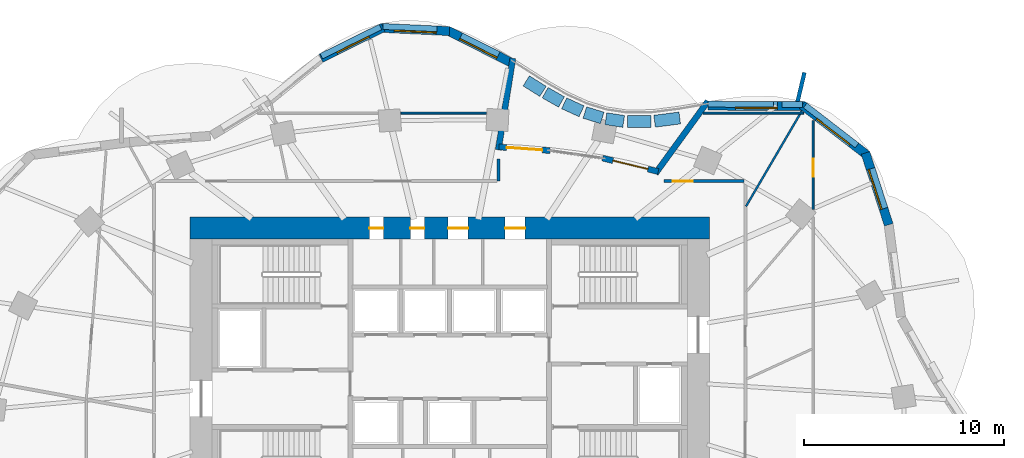
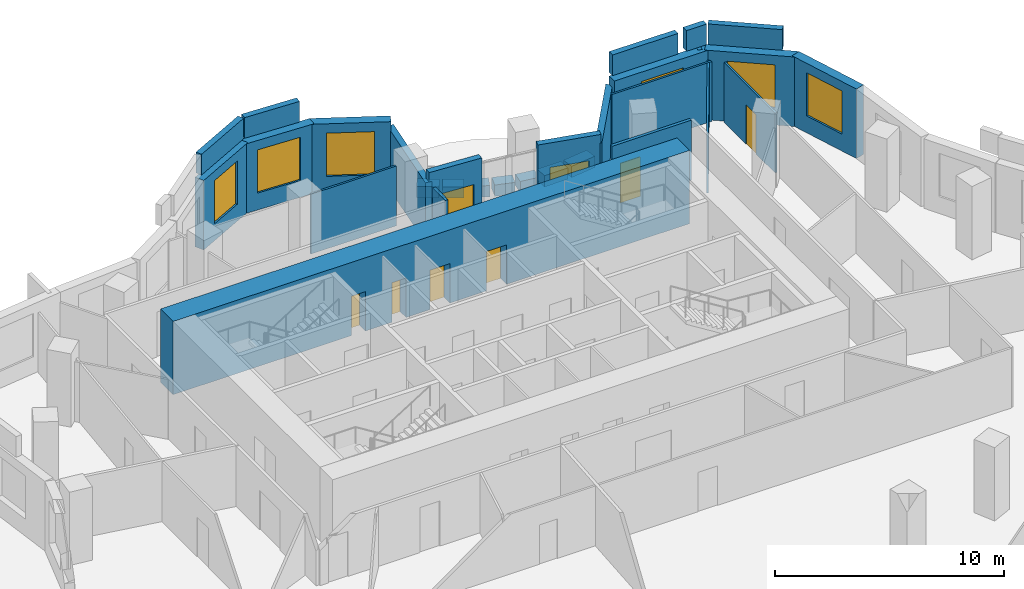
# One storey, part 9 of 11: 30 walls, 8 doors, 6 windows, 14 openings.
"""IFC4 building model written with IfcOpenShell, lengths in metres."""

from ifc_helpers import new_model, si_unit, direction, frame, frame_2d, origin, place, context, subcontext, project, spatial, rectangle, extrude, material, layer, layer_set, type_object, element, fill, save


model = new_model("IFC4")

# Units and contexts
model_context = context("Model", 3, precision=1e-05, world=origin(), true_north=direction((0.0, 1.0)))
body_context = subcontext(model_context, "Body", "Model", "MODEL_VIEW")
ifc_project = project(units=[si_unit("LENGTHUNIT", "METRE"), si_unit("AREAUNIT", "SQUARE_METRE"), si_unit("VOLUMEUNIT", "CUBIC_METRE"), si_unit("PLANEANGLEUNIT", "RADIAN"), si_unit("MASSUNIT", "GRAM", prefix="KILO")], contexts=[model_context])

# Site, building, storey
site_placement = place(None, origin())
site = spatial("IfcSite", under=ifc_project, at=site_placement, CompositionType="ELEMENT")
building_placement = place(site_placement, origin())
building = spatial("IfcBuilding", under=site, at=building_placement, Name="Rubra Terraces Tower", CompositionType="ELEMENT")
storey_placement = place(building_placement, frame((0.0, 0.0, 146.10009765625)))
storey = spatial("IfcBuildingStorey", under=building, at=storey_placement, Name="L35", CompositionType="ELEMENT", Elevation=146.10009765625)

# Wall, opening, window
ifc_material_1 = material(Name="Brick masonry red-brown", Category="masonry")
ifc_layer_1 = layer(ifc_material_1, 0.449951171875)
ifc_layer_set_1 = layer_set([ifc_layer_1], Name="Brick masonry red-brown")
wall_type_1 = type_object("IfcWallType", Name="Brick facade wall 450", PredefinedType="SOLIDWALL", material=ifc_layer_set_1)
wall_1_placement = place(storey_placement, frame((21.985595703125, 11.613037109375, 0.0), z_axis=(0.0, 0.0, 1.0), x_axis=(-0.308280636233, 0.95129545848, 0.0)))
wall_1 = element("IfcWall", 1, at=wall_1_placement, inside=storey, type_object=wall_type_1, Name="Facade wall L35 bay 4", PredefinedType="SOLIDWALL", context=body_context, shape_type="SweptSolid", body=[
    extrude(rectangle(XDim=3.783935546875, YDim=0.449951171875, at=frame_2d((1.89208984375, 0.0))), origin(), (0.0, 0.0, 1.0), 3.699951171875),
])
opening_1_placement = place(wall_1_placement, frame((0.842041015625, 0.0, 0.89990234375)))
opening_1 = element("IfcOpeningElement", 2, at=opening_1_placement, cuts=wall_1, Name="Opening W1B", PredefinedType="OPENING", context=body_context, shape_type="SweptSolid", body=[
    extrude(rectangle(XDim=2.10009765625, YDim=2.300048828125, at=frame_2d((1.050048828125, 1.14990234375))), frame((0.0, 0.23486328125, 0.0), z_axis=(0.0, -1.0, 0.0), x_axis=(1.0, 0.0, 0.0)), (0.0, 0.0, 1.0), 0.469970703125),
])
ifc_material_2 = material(Name="Clear glass in aluminium frame", Category="aluminium")
window_type_1 = type_object("IfcWindowType", Name="Fixed deep-set window tall storey 2100 x 2300", PartitioningType="SINGLE_PANEL", PredefinedType="WINDOW", material=ifc_material_2)
window_1_placement = place(opening_1_placement, origin())
window_1 = element("IfcWindow", 3, at=window_1_placement, inside=storey, type_object=window_type_1, Name="Window L35 bay 4", OverallHeight=2.300048828125, OverallWidth=2.10009765625, PartitioningType="SINGLE_PANEL", PredefinedType="WINDOW", context=body_context, shape_type="SweptSolid", body=[
    extrude(rectangle(XDim=2.10009765625, YDim=2.300048828125, at=frame_2d((1.050048828125, 1.14990234375))), frame((0.0, 0.135009765625, 0.0), z_axis=(0.0, -1.0, 0.0), x_axis=(1.0, 0.0, 0.0)), (0.0, 0.0, 1.0), 0.06005859375),
])
fill(opening_1, window_1)

wall_2_placement = place(storey_placement, frame((20.8955078125, 15.10400390625, 0.0), z_axis=(0.0, 0.0, 1.0), x_axis=(-0.791693388686, 0.610918634771, 0.0)))
wall_2 = element("IfcWall", 4, at=wall_2_placement, inside=storey, type_object=wall_type_1, Name="Facade wall L35 bay 5", PredefinedType="SOLIDWALL", context=body_context, shape_type="SweptSolid", body=[
    extrude(rectangle(XDim=4.10009765625, YDim=0.449951171875, at=frame_2d((2.050048828125, 0.0))), origin(), (0.0, 0.0, 1.0), 3.699951171875),
])
opening_2_placement = place(wall_2_placement, frame((1.0, 0.0, 0.89990234375)))
opening_2 = element("IfcOpeningElement", 5, at=opening_2_placement, cuts=wall_2, Name="Opening W1B", PredefinedType="OPENING", context=body_context, shape_type="SweptSolid", body=[
    extrude(rectangle(XDim=2.10009765625, YDim=2.300048828125, at=frame_2d((1.050048828125, 1.14990234375))), frame((0.0, 0.23486328125, 0.0), z_axis=(0.0, -1.0, 0.0), x_axis=(1.0, 0.0, 0.0)), (0.0, 0.0, 1.0), 0.469970703125),
])
window_2_placement = place(opening_2_placement, origin())
window_2 = element("IfcWindow", 6, at=window_2_placement, inside=storey, type_object=window_type_1, Name="Window L35 bay 5", OverallHeight=2.300048828125, OverallWidth=2.10009765625, PartitioningType="SINGLE_PANEL", PredefinedType="WINDOW", context=body_context, shape_type="SweptSolid", body=[
    extrude(rectangle(XDim=2.10009765625, YDim=2.300048828125, at=frame_2d((1.050048828125, 1.14990234375))), frame((0.0, 0.135009765625, 0.0), z_axis=(0.0, -1.0, 0.0), x_axis=(1.0, 0.0, 0.0)), (0.0, 0.0, 1.0), 0.06005859375),
])
fill(opening_2, window_2)

wall_3_placement = place(storey_placement, frame((17.786376953125, 17.56201171875, 0.0), z_axis=(0.0, 0.0, 1.0), x_axis=(-0.999995890425, 0.002866903016, 0.0)))
wall_3 = element("IfcWall", 7, at=wall_3_placement, inside=storey, type_object=wall_type_1, Name="Facade wall L35 bay 6", PredefinedType="SOLIDWALL", context=body_context, shape_type="SweptSolid", body=[
    extrude(rectangle(XDim=4.85400390625, YDim=0.449951171875, at=frame_2d((2.427001953125, 0.0))), origin(), (0.0, 0.0, 1.0), 3.699951171875),
])
opening_3_placement = place(wall_3_placement, frame((1.376953125, 0.0, 0.89990234375)))
opening_3 = element("IfcOpeningElement", 8, at=opening_3_placement, cuts=wall_3, Name="Opening W1B", PredefinedType="OPENING", context=body_context, shape_type="SweptSolid", body=[
    extrude(rectangle(XDim=2.10009765625, YDim=2.300048828125, at=frame_2d((1.050048828125, 1.14990234375))), frame((0.0, 0.23486328125, 0.0), z_axis=(0.0, -1.0, 0.0), x_axis=(1.0, 0.0, 0.0)), (0.0, 0.0, 1.0), 0.469970703125),
])
window_3_placement = place(opening_3_placement, origin())
window_3 = element("IfcWindow", 9, at=window_3_placement, inside=storey, type_object=window_type_1, Name="Window L35 bay 6", OverallHeight=2.300048828125, OverallWidth=2.10009765625, PartitioningType="SINGLE_PANEL", PredefinedType="WINDOW", context=body_context, shape_type="SweptSolid", body=[
    extrude(rectangle(XDim=2.10009765625, YDim=2.300048828125, at=frame_2d((1.050048828125, 1.14990234375))), frame((0.0, 0.135009765625, 0.0), z_axis=(0.0, -1.0, 0.0), x_axis=(1.0, 0.0, 0.0)), (0.0, 0.0, 1.0), 0.06005859375),
])
fill(opening_3, window_3)

wall_4_placement = place(storey_placement, frame((3.05908203125, 19.748046875, 0.0), z_axis=(0.0, 0.0, 1.0), x_axis=(-0.893541843856, 0.44897992525, 0.0)))
wall_4 = element("IfcWall", 10, at=wall_4_placement, inside=storey, type_object=wall_type_1, Name="Facade wall L35 bay 10", PredefinedType="SOLIDWALL", context=body_context, shape_type="SweptSolid", body=[
    extrude(rectangle(XDim=3.53662109375, YDim=0.449951171875, at=frame_2d((1.768310546875, 0.0))), origin(), (0.0, 0.0, 1.0), 3.699951171875),
])
opening_4_placement = place(wall_4_placement, frame((0.71826171875, 0.0, 0.89990234375)))
opening_4 = element("IfcOpeningElement", 11, at=opening_4_placement, cuts=wall_4, Name="Opening W1B", PredefinedType="OPENING", context=body_context, shape_type="SweptSolid", body=[
    extrude(rectangle(XDim=2.10009765625, YDim=2.300048828125, at=frame_2d((1.050048828125, 1.14990234375))), frame((0.0, 0.23486328125, 0.0), z_axis=(0.0, -1.0, 0.0), x_axis=(1.0, 0.0, 0.0)), (0.0, 0.0, 1.0), 0.469970703125),
])
window_4_placement = place(opening_4_placement, origin())
window_4 = element("IfcWindow", 12, at=window_4_placement, inside=storey, type_object=window_type_1, Name="Window L35 bay 10", OverallHeight=2.300048828125, OverallWidth=2.10009765625, PartitioningType="SINGLE_PANEL", PredefinedType="WINDOW", context=body_context, shape_type="SweptSolid", body=[
    extrude(rectangle(XDim=2.10009765625, YDim=2.300048828125, at=frame_2d((1.050048828125, 1.14990234375))), frame((0.0, 0.135009765625, 0.0), z_axis=(0.0, -1.0, 0.0), x_axis=(1.0, 0.0, 0.0)), (0.0, 0.0, 1.0), 0.06005859375),
])
fill(opening_4, window_4)

wall_5_placement = place(storey_placement, frame((-0.010498046875, 21.312255859375, 0.0), z_axis=(0.0, 0.0, 1.0), x_axis=(-0.998906179907, 0.046759424106, 0.0)))
wall_5 = element("IfcWall", 13, at=wall_5_placement, inside=storey, type_object=wall_type_1, Name="Facade wall L35 bay 11", PredefinedType="SOLIDWALL", context=body_context, shape_type="SweptSolid", body=[
    extrude(rectangle(XDim=3.440673828125, YDim=0.449951171875, at=frame_2d((1.72021484375, 0.0))), origin(), (0.0, 0.0, 1.0), 3.699951171875),
])
opening_5_placement = place(wall_5_placement, frame((0.67041015625, 0.0, 0.89990234375)))
opening_5 = element("IfcOpeningElement", 14, at=opening_5_placement, cuts=wall_5, Name="Opening W1B", PredefinedType="OPENING", context=body_context, shape_type="SweptSolid", body=[
    extrude(rectangle(XDim=2.10009765625, YDim=2.300048828125, at=frame_2d((1.050048828125, 1.14990234375))), frame((0.0, 0.23486328125, 0.0), z_axis=(0.0, -1.0, 0.0), x_axis=(1.0, 0.0, 0.0)), (0.0, 0.0, 1.0), 0.469970703125),
])
window_5_placement = place(opening_5_placement, origin())
window_5 = element("IfcWindow", 15, at=window_5_placement, inside=storey, type_object=window_type_1, Name="Window L35 bay 11", OverallHeight=2.300048828125, OverallWidth=2.10009765625, PartitioningType="SINGLE_PANEL", PredefinedType="WINDOW", context=body_context, shape_type="SweptSolid", body=[
    extrude(rectangle(XDim=2.10009765625, YDim=2.300048828125, at=frame_2d((1.050048828125, 1.14990234375))), frame((0.0, 0.135009765625, 0.0), z_axis=(0.0, -1.0, 0.0), x_axis=(1.0, 0.0, 0.0)), (0.0, 0.0, 1.0), 0.06005859375),
])
fill(opening_5, window_5)

wall_6_placement = place(storey_placement, frame((-3.33740234375, 21.496337890625, 0.0), z_axis=(0.0, 0.0, 1.0), x_axis=(-0.896526715328, -0.442989671103, 0.0)))
wall_6 = element("IfcWall", 16, at=wall_6_placement, inside=storey, type_object=wall_type_1, Name="Facade wall L35 bay 12", PredefinedType="SOLIDWALL", context=body_context, shape_type="SweptSolid", body=[
    extrude(rectangle(XDim=3.47216796875, YDim=0.449951171875, at=frame_2d((1.736083984375, 0.0))), origin(), (0.0, 0.0, 1.0), 3.699951171875),
])
opening_6_placement = place(wall_6_placement, frame((0.836181640625, 0.0, 0.89990234375)))
opening_6 = element("IfcOpeningElement", 17, at=opening_6_placement, cuts=wall_6, Name="Opening W6B", PredefinedType="OPENING", context=body_context, shape_type="SweptSolid", body=[
    extrude(rectangle(XDim=1.800048828125, YDim=2.300048828125, at=frame_2d((0.89990234375, 1.14990234375))), frame((0.0, 0.23486328125, 0.0), z_axis=(0.0, -1.0, 0.0), x_axis=(1.0, 0.0, 0.0)), (0.0, 0.0, 1.0), 0.469970703125),
])
window_type_2 = type_object("IfcWindowType", Name="Fixed deep-set window at wind fin tall storey 1800 x 2300", PartitioningType="SINGLE_PANEL", PredefinedType="WINDOW", material=ifc_material_2)
window_6_placement = place(opening_6_placement, origin())
window_6 = element("IfcWindow", 18, at=window_6_placement, inside=storey, type_object=window_type_2, Name="Window L35 bay 12", OverallHeight=2.300048828125, OverallWidth=1.800048828125, PartitioningType="SINGLE_PANEL", PredefinedType="WINDOW", context=body_context, shape_type="SweptSolid", body=[
    extrude(rectangle(XDim=1.800048828125, YDim=2.300048828125, at=frame_2d((0.89990234375, 1.14990234375))), frame((0.0, 0.135009765625, 0.0), z_axis=(0.0, -1.0, 0.0), x_axis=(1.0, 0.0, 0.0)), (0.0, 0.0, 1.0), 0.06005859375),
])
fill(opening_6, window_6)

# Walls
ifc_layer_2 = layer(ifc_material_1, 0.300048828125)
ifc_layer_set_2 = layer_set([ifc_layer_2], Name="Brick masonry red-brown")
wall_type_2 = type_object("IfcWallType", Name="Brick parapet 300", PredefinedType="PARAPET", material=ifc_layer_set_2)
wall_7_placement = place(storey_placement, frame((20.3955078125, 15.58447265625, 3.89990234375), z_axis=(0.0, 0.0, 1.0), x_axis=(-0.791668035353, 0.610951488909, 0.0)))
element("IfcWall", 19, at=wall_7_placement, inside=storey, type_object=wall_type_2, Name="Parapet L35 bay 5", PredefinedType="PARAPET", context=body_context, shape_type="SweptSolid", body=[
    extrude(rectangle(XDim=3.27880859375, YDim=0.300048828125, at=frame_2d((1.639404296875, 0.0))), origin(), (0.0, 0.0, 1.0), 1.10009765625),
])
wall_8_placement = place(storey_placement, frame((17.65478515625, 17.637451171875, 3.89990234375), z_axis=(0.0, 0.0, 1.0), x_axis=(-0.999995745964, 0.002916856819, 0.0)))
element("IfcWall", 20, at=wall_8_placement, inside=storey, type_object=wall_type_2, Name="Parapet L35 bay 6", PredefinedType="PARAPET", context=body_context, shape_type="SweptSolid", body=[
    extrude(rectangle(XDim=1.00439453125, YDim=0.300048828125, at=frame_2d((0.502197265625, 0.0))), origin(), (0.0, 0.0, 1.0), 1.10009765625),
])
wall_9_placement = place(storey_placement, frame((16.219970703125, 17.6416015625, 3.89990234375), z_axis=(0.0, 0.0, 1.0), x_axis=(-0.999996017811, 0.002822120214, 0.0)))
element("IfcWall", 21, at=wall_9_placement, inside=storey, type_object=wall_type_2, Name="Parapet L35 bay 6.2", PredefinedType="PARAPET", context=body_context, shape_type="SweptSolid", body=[
    extrude(rectangle(XDim=3.287353515625, YDim=0.300048828125, at=frame_2d((1.6435546875, 0.0))), origin(), (0.0, 0.0, 1.0), 1.10009765625),
])
wall_10_placement = place(storey_placement, frame((-0.639892578125, 21.416748046875, 3.89990234375), z_axis=(0.0, 0.0, 1.0), x_axis=(-0.998902248936, 0.046843324728, 0.0)))
element("IfcWall", 22, at=wall_10_placement, inside=storey, type_object=wall_type_2, Name="Parapet L35 bay 11", PredefinedType="PARAPET", context=body_context, shape_type="SweptSolid", body=[
    extrude(rectangle(XDim=2.69970703125, YDim=0.300048828125, at=frame_2d((1.349853515625, 0.0))), origin(), (0.0, 0.0, 1.0), 1.10009765625),
])
wall_11_placement = place(storey_placement, frame((-3.467041015625, 21.515869140625, 3.89990234375), z_axis=(0.0, 0.0, 1.0), x_axis=(-0.896532590338, -0.442977781003, 0.0)))
element("IfcWall", 23, at=wall_11_placement, inside=storey, type_object=wall_type_2, Name="Parapet L35 bay 12", PredefinedType="PARAPET", context=body_context, shape_type="SweptSolid", body=[
    extrude(rectangle(XDim=3.30078125, YDim=0.300048828125, at=frame_2d((1.650390625, 0.0))), origin(), (0.0, 0.0, 1.0), 1.10009765625),
])
ifc_layer_3 = layer(ifc_material_1, 0.199951171875)
ifc_layer_set_3 = layer_set([ifc_layer_3], Name="Brick masonry red-brown")
wall_type_3 = type_object("IfcWallType", Name="Brick wind fin 200", PredefinedType="SOLIDWALL", material=ifc_layer_set_3)
wall_12_placement = place(storey_placement, frame((17.362060546875, 17.5380859375, 0.0), z_axis=(0.0, 0.0, 1.0), x_axis=(0.230469860183, 0.973079464148, 0.0)))
element("IfcWall", 24, at=wall_12_placement, inside=storey, type_object=wall_type_3, Name="Wind fin L35 3", PredefinedType="SOLIDWALL", context=body_context, shape_type="SweptSolid", body=[
    extrude(rectangle(XDim=1.75, YDim=0.199951171875, at=frame_2d((0.875, 0.0))), origin(), (0.0, 0.0, 1.0), 3.699951171875),
])

# Wall, openings, doors
ifc_material_3 = material(Name="Concrete C60", Category="concrete")
ifc_layer_4 = layer(ifc_material_3, 1.10009765625)
ifc_layer_set_4 = layer_set([ifc_layer_4], Name="Concrete C60")
wall_type_4 = type_object("IfcWallType", Name="CORE WALL 1100 C60", PredefinedType="SHEAR", material=ifc_layer_set_4)
wall_13_placement = place(storey_placement, frame((-13.0, 11.449951171875, 0.0), z_axis=(0.0, 0.0, 1.0), x_axis=(1.0, 0.0, 0.0)))
wall_13 = element("IfcWall", 25, at=wall_13_placement, inside=storey, type_object=wall_type_4, Name="CORE WALL N L35", PredefinedType="SHEAR", context=body_context, shape_type="SweptSolid", body=[
    extrude(rectangle(XDim=26.0, YDim=1.10009765625, at=frame_2d((13.0, 0.0))), origin(), (0.0, 0.0, 1.0), 3.89990234375),
])
opening_7_placement = place(wall_13_placement, frame((8.97509765625, 0.0, 0.0)))
opening_7 = element("IfcOpeningElement", 26, at=opening_7_placement, cuts=wall_13, Name="Opening L35.C25", PredefinedType="OPENING", context=body_context, shape_type="SweptSolid", body=[
    extrude(rectangle(XDim=0.699951171875, YDim=2.10009765625, at=frame_2d((0.35009765625, 1.050048828125))), frame((0.0, 0.56005859375, 0.0), z_axis=(0.0, -1.0, 0.0), x_axis=(1.0, 0.0, 0.0)), (0.0, 0.0, 1.0), 1.1201171875),
])
opening_8_placement = place(wall_13_placement, frame((11.02490234375, 0.0, 0.0)))
opening_8 = element("IfcOpeningElement", 27, at=opening_8_placement, cuts=wall_13, Name="Opening L35.C26", PredefinedType="OPENING", context=body_context, shape_type="SweptSolid", body=[
    extrude(rectangle(XDim=0.699951171875, YDim=2.10009765625, at=frame_2d((0.35009765625, 1.050048828125))), frame((0.0, 0.56005859375, 0.0), z_axis=(0.0, -1.0, 0.0), x_axis=(1.0, 0.0, 0.0)), (0.0, 0.0, 1.0), 1.1201171875),
])
opening_9_placement = place(wall_13_placement, frame((12.925048828125, 0.0, 0.0)))
opening_9 = element("IfcOpeningElement", 28, at=opening_9_placement, cuts=wall_13, Name="Opening L35.C27", PredefinedType="OPENING", context=body_context, shape_type="SweptSolid", body=[
    extrude(rectangle(XDim=1.0, YDim=2.10009765625, at=frame_2d((0.5, 1.050048828125))), frame((0.0, 0.56005859375, 0.0), z_axis=(0.0, -1.0, 0.0), x_axis=(1.0, 0.0, 0.0)), (0.0, 0.0, 1.0), 1.1201171875),
])
opening_10_placement = place(wall_13_placement, frame((15.77490234375, 0.0, 0.0)))
opening_10 = element("IfcOpeningElement", 29, at=opening_10_placement, cuts=wall_13, Name="Opening L35.C28", PredefinedType="OPENING", context=body_context, shape_type="SweptSolid", body=[
    extrude(rectangle(XDim=1.0, YDim=2.10009765625, at=frame_2d((0.5, 1.050048828125))), frame((0.0, 0.56005859375, 0.0), z_axis=(0.0, -1.0, 0.0), x_axis=(1.0, 0.0, 0.0)), (0.0, 0.0, 1.0), 1.1201171875),
])
ifc_material_4 = material(Name="Painted steel", Category="steel")
door_type_1 = type_object("IfcDoorType", Name="Fire door 1000x2100 single", OperationType="NOTDEFINED", PredefinedType="DOOR", material=ifc_material_4)
door_1_placement = place(opening_9_placement, origin())
door_1 = element("IfcDoor", 30, at=door_1_placement, inside=storey, type_object=door_type_1, Name="Guest pantry door", OperationType="SINGLE_SWING_LEFT", OverallHeight=2.10009765625, OverallWidth=1.0, PredefinedType="DOOR", context=body_context, shape_type="SweptSolid", body=[
    extrude(rectangle(XDim=1.0, YDim=2.10009765625, at=frame_2d((0.5, 1.050048828125))), frame((0.0, 0.02490234375, 0.0), z_axis=(0.0, -1.0, 0.0), x_axis=(1.0, 0.0, 0.0)), (0.0, 0.0, 1.0), 0.050048828125),
])
fill(opening_9, door_1)
door_2_placement = place(opening_10_placement, origin())
door_2 = element("IfcDoor", 31, at=door_2_placement, inside=storey, type_object=door_type_1, Name="Security and building control room door", OperationType="SINGLE_SWING_RIGHT", OverallHeight=2.10009765625, OverallWidth=1.0, PredefinedType="DOOR", context=body_context, shape_type="SweptSolid", body=[
    extrude(rectangle(XDim=1.0, YDim=2.10009765625, at=frame_2d((0.5, 1.050048828125))), frame((0.0, 0.02490234375, 0.0), z_axis=(0.0, -1.0, 0.0), x_axis=(1.0, 0.0, 0.0)), (0.0, 0.0, 1.0), 0.050048828125),
])
fill(opening_10, door_2)
door_type_2 = type_object("IfcDoorType", Name="Riser access door 700x2100 single", OperationType="NOTDEFINED", PredefinedType="DOOR", material=ifc_material_4)
door_3_placement = place(opening_7_placement, origin())
door_3 = element("IfcDoor", 32, at=door_3_placement, inside=storey, type_object=door_type_2, Name="Electrical riser room door", OperationType="SINGLE_SWING_LEFT", OverallHeight=2.10009765625, OverallWidth=0.699951171875, PredefinedType="DOOR", context=body_context, shape_type="SweptSolid", body=[
    extrude(rectangle(XDim=0.699951171875, YDim=2.10009765625, at=frame_2d((0.35009765625, 1.050048828125))), frame((0.0, 0.02490234375, 0.0), z_axis=(0.0, -1.0, 0.0), x_axis=(1.0, 0.0, 0.0)), (0.0, 0.0, 1.0), 0.050048828125),
])
fill(opening_7, door_3)
door_4_placement = place(opening_8_placement, origin())
door_4 = element("IfcDoor", 33, at=door_4_placement, inside=storey, type_object=door_type_2, Name="Water and drainage riser door", OperationType="SINGLE_SWING_RIGHT", OverallHeight=2.10009765625, OverallWidth=0.699951171875, PredefinedType="DOOR", context=body_context, shape_type="SweptSolid", body=[
    extrude(rectangle(XDim=0.699951171875, YDim=2.10009765625, at=frame_2d((0.35009765625, 1.050048828125))), frame((0.0, 0.02490234375, 0.0), z_axis=(0.0, -1.0, 0.0), x_axis=(1.0, 0.0, 0.0)), (0.0, 0.0, 1.0), 0.050048828125),
])
fill(opening_8, door_4)

# Wall
ifc_material_5 = material(Name="Plasterboard on steel stud, mineral wool infill", Category="steel")
ifc_layer_5 = layer(ifc_material_5, 0.14990234375)
ifc_layer_set_5 = layer_set([ifc_layer_5], Name="Plasterboard on steel stud, mineral wool infill")
wall_type_5 = type_object("IfcWallType", Name="CORRIDOR PARTITION 150", PredefinedType="PARTITIONING", material=ifc_layer_set_5)
wall_14_placement = place(storey_placement, frame((2.44384765625, 14.908935546875, 0.0), z_axis=(0.0, 0.0, 1.0), x_axis=(-0.008145920826, -0.999966821437, 0.0)))
element("IfcWall", 34, at=wall_14_placement, inside=storey, type_object=wall_type_5, Name="PARTITION", PredefinedType="PARTITIONING", context=body_context, shape_type="SweptSolid", body=[
    extrude(rectangle(XDim=1.10888671875, YDim=0.14990234375, at=frame_2d((0.554443359375, 0.0))), origin(), (0.0, 0.0, 1.0), 3.197998046875),
])

# Wall, opening, door
wall_15_placement = place(storey_placement, frame((14.72509765625, 13.800048828125, 0.0), z_axis=(0.0, 0.0, 1.0), x_axis=(-1.0, 0.0, 0.0)))
wall_15 = element("IfcWall", 35, at=wall_15_placement, inside=storey, type_object=wall_type_5, Name="PARTITION", PredefinedType="PARTITIONING", context=body_context, shape_type="SweptSolid", body=[
    extrude(rectangle(XDim=3.998779296875, YDim=0.14990234375, at=frame_2d((1.99951171875, 0.0))), origin(), (0.0, 0.0, 1.0), 3.197998046875),
])
opening_11_placement = place(wall_15_placement, frame((2.550048828125, 0.0, 0.0)))
opening_11 = element("IfcOpeningElement", 36, at=opening_11_placement, cuts=wall_15, Name="Opening 35-119", PredefinedType="OPENING", context=body_context, shape_type="SweptSolid", body=[
    extrude(rectangle(XDim=1.0, YDim=2.10009765625, at=frame_2d((0.5, 1.050048828125))), frame((0.0, 0.0849609375, 0.0), z_axis=(0.0, -1.0, 0.0), x_axis=(1.0, 0.0, 0.0)), (0.0, 0.0, 1.0), 0.169921875),
])
ifc_material_6 = material(Name="Painted timber door leaf", Category="wood")
door_type_3 = type_object("IfcDoorType", Name="ROOM DOOR 1000 X 2100", OperationType="SINGLE_SWING_LEFT", PredefinedType="DOOR", material=ifc_material_6)
door_5_placement = place(opening_11_placement, origin())
door_5 = element("IfcDoor", 37, at=door_5_placement, inside=storey, type_object=door_type_3, Name="DOOR 35-119", OperationType="SINGLE_SWING_RIGHT", OverallHeight=2.10009765625, OverallWidth=1.0, PredefinedType="DOOR", context=body_context, shape_type="SweptSolid", body=[
    extrude(rectangle(XDim=1.0, YDim=2.10009765625, at=frame_2d((0.5, 1.050048828125))), frame((0.0, 0.02490234375, 0.0), z_axis=(0.0, -1.0, 0.0), x_axis=(1.0, 0.0, 0.0)), (0.0, 0.0, 1.0), 0.050048828125),
])
fill(opening_11, door_5)

ifc_material_7 = material(Name="Brick masonry with ochre lime render", Category="masonry")
ifc_layer_6 = layer(ifc_material_7, 0.300048828125)
ifc_layer_set_6 = layer_set([ifc_layer_6], Name="Brick masonry with ochre lime render")
wall_type_6 = type_object("IfcWallType", Name="Ochre rendered brick wall 300", PredefinedType="SOLIDWALL", material=ifc_layer_set_6)
wall_16_placement = place(storey_placement, frame((10.443603515625, 14.277099609375, 0.0), z_axis=(0.0, 0.0, 1.0), x_axis=(-0.971972269839, 0.235095526678, 0.0)))
wall_16 = element("IfcWall", 38, at=wall_16_placement, inside=storey, type_object=wall_type_6, Name="Terrace wall L35 bay 7", PredefinedType="SOLIDWALL", context=body_context, shape_type="SweptSolid", body=[
    extrude(rectangle(XDim=2.8671875, YDim=0.300048828125, at=frame_2d((1.43359375, 0.0))), origin(), (0.0, 0.0, 1.0), 3.699951171875),
])
opening_12_placement = place(wall_16_placement, frame((0.53369140625, 0.0, 0.0)))
opening_12 = element("IfcOpeningElement", 39, at=opening_12_placement, cuts=wall_16, Name="Opening T35.1", PredefinedType="OPENING", context=body_context, shape_type="SweptSolid", body=[
    extrude(rectangle(XDim=1.800048828125, YDim=2.39990234375, at=frame_2d((0.89990234375, 1.199951171875))), frame((0.0, 0.159912109375, 0.0), z_axis=(0.0, -1.0, 0.0), x_axis=(1.0, 0.0, 0.0)), (0.0, 0.0, 1.0), 0.320068359375),
])
ifc_material_8 = material(Name="Glazed aluminium door leaf", Category="aluminium")
door_type_4 = type_object("IfcDoorType", Name="Terrace double door 1800 x 2400", OperationType="DOUBLE_DOOR_DOUBLE_SWING", PredefinedType="DOOR", material=ifc_material_8)
door_6_placement = place(opening_12_placement, origin())
door_6 = element("IfcDoor", 40, at=door_6_placement, inside=storey, type_object=door_type_4, Name="Terrace door L35.1", OperationType="DOUBLE_DOOR_DOUBLE_SWING", OverallHeight=2.39990234375, OverallWidth=1.800048828125, PredefinedType="DOOR", context=body_context, shape_type="SweptSolid", body=[
    extrude(rectangle(XDim=1.800048828125, YDim=2.39990234375, at=frame_2d((0.89990234375, 1.199951171875))), frame((0.0, 0.02490234375, 0.0), z_axis=(0.0, -1.0, 0.0), x_axis=(1.0, 0.0, 0.0)), (0.0, 0.0, 1.0), 0.050048828125),
])
fill(opening_12, door_6)

wall_17_placement = place(storey_placement, frame((5.01953125, 15.330322265625, 0.0), z_axis=(0.0, 0.0, 1.0), x_axis=(-0.997573249966, 0.069624786905, 0.0)))
wall_17 = element("IfcWall", 41, at=wall_17_placement, inside=storey, type_object=wall_type_6, Name="Terrace wall L35 bay 9", PredefinedType="SOLIDWALL", context=body_context, shape_type="SweptSolid", body=[
    extrude(rectangle(XDim=2.55615234375, YDim=0.300048828125, at=frame_2d((1.278076171875, 0.0))), origin(), (0.0, 0.0, 1.0), 3.699951171875),
])
opening_13_placement = place(wall_17_placement, frame((0.378173828125, 0.0, 0.0)))
opening_13 = element("IfcOpeningElement", 42, at=opening_13_placement, cuts=wall_17, Name="Opening T35.2", PredefinedType="OPENING", context=body_context, shape_type="SweptSolid", body=[
    extrude(rectangle(XDim=1.800048828125, YDim=2.39990234375, at=frame_2d((0.89990234375, 1.199951171875))), frame((0.0, 0.159912109375, 0.0), z_axis=(0.0, -1.0, 0.0), x_axis=(1.0, 0.0, 0.0)), (0.0, 0.0, 1.0), 0.320068359375),
])
door_7_placement = place(opening_13_placement, origin())
door_7 = element("IfcDoor", 43, at=door_7_placement, inside=storey, type_object=door_type_4, Name="Terrace door L35.2", OperationType="DOUBLE_DOOR_DOUBLE_SWING", OverallHeight=2.39990234375, OverallWidth=1.800048828125, PredefinedType="DOOR", context=body_context, shape_type="SweptSolid", body=[
    extrude(rectangle(XDim=1.800048828125, YDim=2.39990234375, at=frame_2d((0.89990234375, 1.199951171875))), frame((0.0, 0.02490234375, 0.0), z_axis=(0.0, -1.0, 0.0), x_axis=(1.0, 0.0, 0.0)), (0.0, 0.0, 1.0), 0.050048828125),
])
fill(opening_13, door_7)

# Walls
ifc_layer_7 = layer(ifc_material_7, 0.60009765625)
ifc_layer_set_7 = layer_set([ifc_layer_7], Name="Brick masonry with ochre lime render")
wall_type_7 = type_object("IfcWallType", Name="Planter box 600", PredefinedType="SOLIDWALL", material=ifc_layer_set_7)
wall_18_placement = place(storey_placement, frame((11.52001953125, 16.96044921875, 0.0), z_axis=(0.0, 0.0, 1.0), x_axis=(-0.991749557979, -0.128190538841, 0.0)))
element("IfcWall", 44, at=wall_18_placement, inside=storey, type_object=wall_type_7, Name="Planter L35.3", PredefinedType="SOLIDWALL", context=body_context, shape_type="SweptSolid", body=[
    extrude(rectangle(XDim=1.272216796875, YDim=0.60009765625, at=frame_2d((0.63623046875, 0.0))), origin(), (0.0, 0.0, 1.0), 0.599853515625),
])
wall_19_placement = place(storey_placement, frame((10.088134765625, 16.78564453125, 0.0), z_axis=(0.0, 0.0, 1.0), x_axis=(-0.99996256786, -0.008652333714, 0.0)))
element("IfcWall", 45, at=wall_19_placement, inside=storey, type_object=wall_type_7, Name="Planter L35.5", PredefinedType="SOLIDWALL", context=body_context, shape_type="SweptSolid", body=[
    extrude(rectangle(XDim=1.18505859375, YDim=0.60009765625, at=frame_2d((0.592529296875, 0.0))), origin(), (0.0, 0.0, 1.0), 0.599853515625),
])
wall_20_placement = place(storey_placement, frame((8.711181640625, 16.788818359375, 0.0), z_axis=(0.0, 0.0, 1.0), x_axis=(-0.98894830007, 0.148260783042, 0.0)))
element("IfcWall", 46, at=wall_20_placement, inside=storey, type_object=wall_type_7, Name="Planter L35.8", PredefinedType="SOLIDWALL", context=body_context, shape_type="SweptSolid", body=[
    extrude(rectangle(XDim=0.899169921875, YDim=0.60009765625, at=frame_2d((0.44970703125, 0.0))), origin(), (0.0, 0.0, 1.0), 0.599853515625),
])
wall_21_placement = place(storey_placement, frame((7.637939453125, 16.964111328125, 0.0), z_axis=(0.0, 0.0, 1.0), x_axis=(-0.955338081756, 0.295515058072, 0.0)))
element("IfcWall", 47, at=wall_21_placement, inside=storey, type_object=wall_type_7, Name="Planter L35.11", PredefinedType="SOLIDWALL", context=body_context, shape_type="SweptSolid", body=[
    extrude(rectangle(XDim=0.912109375, YDim=0.60009765625, at=frame_2d((0.4560546875, 0.0))), origin(), (0.0, 0.0, 1.0), 0.599853515625),
])
wall_22_placement = place(storey_placement, frame((6.601806640625, 17.29638671875, 0.0), z_axis=(0.0, 0.0, 1.0), x_axis=(-0.909000481228, 0.416795063702, 0.0)))
element("IfcWall", 48, at=wall_22_placement, inside=storey, type_object=wall_type_7, Name="Planter L35.13", PredefinedType="SOLIDWALL", context=body_context, shape_type="SweptSolid", body=[
    extrude(rectangle(XDim=0.958251953125, YDim=0.60009765625, at=frame_2d((0.47900390625, 0.0))), origin(), (0.0, 0.0, 1.0), 0.599853515625),
])
wall_23_placement = place(storey_placement, frame((5.5966796875, 17.764404296875, 0.0), z_axis=(0.0, 0.0, 1.0), x_axis=(-0.870011049385, 0.493032224047, 0.0)))
element("IfcWall", 49, at=wall_23_placement, inside=storey, type_object=wall_type_7, Name="Planter L35.15", PredefinedType="SOLIDWALL", context=body_context, shape_type="SweptSolid", body=[
    extrude(rectangle(XDim=0.9404296875, YDim=0.60009765625, at=frame_2d((0.47021484375, 0.0))), origin(), (0.0, 0.0, 1.0), 0.599853515625),
])
wall_24_placement = place(storey_placement, frame((4.669921875, 18.29296875, 0.0), z_axis=(0.0, 0.0, 1.0), x_axis=(-0.846858957605, 0.53181754947, 0.0)))
element("IfcWall", 50, at=wall_24_placement, inside=storey, type_object=wall_type_7, Name="Planter L35.17", PredefinedType="SOLIDWALL", context=body_context, shape_type="SweptSolid", body=[
    extrude(rectangle(XDim=0.98876953125, YDim=0.60009765625, at=frame_2d((0.494384765625, 0.0))), origin(), (0.0, 0.0, 1.0), 0.599853515625),
])
ifc_material_9 = material(Name="Plasterboard on steel stud", Category="steel")
ifc_layer_8 = layer(ifc_material_9, 0.10009765625)
ifc_layer_set_8 = layer_set([ifc_layer_8], Name="Plasterboard on steel stud")
wall_type_8 = type_object("IfcWallType", Name="ROOM PARTITION 100", PredefinedType="PARTITIONING", material=ifc_layer_set_8)
wall_25_placement = place(storey_placement, frame((-2.45068359375, 17.199951171875, 0.0), z_axis=(0.0, 0.0, 1.0), x_axis=(1.0, 0.0, 0.0)))
element("IfcWall", 51, at=wall_25_placement, inside=storey, type_object=wall_type_8, Name="PARTITION", PredefinedType="PARTITIONING", context=body_context, shape_type="SweptSolid", body=[
    extrude(rectangle(XDim=4.28857421875, YDim=0.10009765625, at=frame_2d((2.144287109375, 0.0))), origin(), (0.0, 0.0, 1.0), 3.183837890625),
])
wall_26_placement = place(storey_placement, frame((12.69189453125, 17.199951171875, 0.0), z_axis=(0.0, 0.0, 1.0), x_axis=(1.0, 0.0, 0.0)))
element("IfcWall", 52, at=wall_26_placement, inside=storey, type_object=wall_type_8, Name="PARTITION", PredefinedType="PARTITIONING", context=body_context, shape_type="SweptSolid", body=[
    extrude(rectangle(XDim=5.03076171875, YDim=0.10009765625, at=frame_2d((2.515380859375, 0.0))), origin(), (0.0, 0.0, 1.0), 3.183837890625),
])

# Wall, opening, door
wall_27_placement = place(storey_placement, frame((18.199951171875, 16.831787109375, 0.0), z_axis=(0.0, 0.0, 1.0), x_axis=(0.0, -1.0, 0.0)))
wall_27 = element("IfcWall", 53, at=wall_27_placement, inside=storey, type_object=wall_type_8, Name="PARTITION", PredefinedType="PARTITIONING", context=body_context, shape_type="SweptSolid", body=[
    extrude(rectangle(XDim=4.450439453125, YDim=0.10009765625, at=frame_2d((2.22509765625, 0.0))), origin(), (0.0, 0.0, 1.0), 3.183837890625),
])
opening_14_placement = place(wall_27_placement, frame((1.9130859375, 0.0, 0.0)))
opening_14 = element("IfcOpeningElement", 54, at=opening_14_placement, cuts=wall_27, Name="Opening 35-116", PredefinedType="OPENING", context=body_context, shape_type="SweptSolid", body=[
    extrude(rectangle(XDim=0.89990234375, YDim=2.10009765625, at=frame_2d((0.449951171875, 1.050048828125))), frame((0.0, 0.06005859375, 0.0), z_axis=(0.0, -1.0, 0.0), x_axis=(1.0, 0.0, 0.0)), (0.0, 0.0, 1.0), 0.1201171875),
])
door_type_5 = type_object("IfcDoorType", Name="ROOM DOOR 900 X 2100", OperationType="SINGLE_SWING_LEFT", PredefinedType="DOOR", material=ifc_material_6)
door_8_placement = place(opening_14_placement, origin())
door_8 = element("IfcDoor", 55, at=door_8_placement, inside=storey, type_object=door_type_5, Name="DOOR 35-116", OperationType="SINGLE_SWING_LEFT", OverallHeight=2.10009765625, OverallWidth=0.89990234375, PredefinedType="DOOR", context=body_context, shape_type="SweptSolid", body=[
    extrude(rectangle(XDim=0.89990234375, YDim=2.10009765625, at=frame_2d((0.449951171875, 1.050048828125))), frame((0.0, 0.02490234375, 0.0), z_axis=(0.0, -1.0, 0.0), x_axis=(1.0, 0.0, 0.0)), (0.0, 0.0, 1.0), 0.050048828125),
])
fill(opening_14, door_8)

# Walls
wall_28_placement = place(storey_placement, frame((14.837890625, 12.536376953125, 0.0), z_axis=(0.0, 0.0, 1.0), x_axis=(0.505302396087, 0.862942343676, 0.0)))
element("IfcWall", 56, at=wall_28_placement, inside=storey, type_object=wall_type_8, Name="PARTITION", PredefinedType="PARTITIONING", context=body_context, shape_type="SweptSolid", body=[
    extrude(rectangle(XDim=5.543701171875, YDim=0.10009765625, at=frame_2d((2.77197265625, 0.0))), origin(), (0.0, 0.0, 1.0), 3.183837890625),
])
ifc_material_10 = material(Name="Brick masonry with rose lime render", Category="masonry")
ifc_layer_9 = layer(ifc_material_10, 0.300048828125)
ifc_layer_set_9 = layer_set([ifc_layer_9], Name="Brick masonry with rose lime render")
wall_type_9 = type_object("IfcWallType", Name="Rose rendered brick wall 300", PredefinedType="SOLIDWALL", material=ifc_layer_set_9)
wall_29_placement = place(storey_placement, frame((12.93310546875, 17.801025390625, 0.0), z_axis=(0.0, 0.0, 1.0), x_axis=(-0.587762911206, -0.809033225653, 0.0)))
element("IfcWall", 57, at=wall_29_placement, inside=storey, type_object=wall_type_9, Name="Terrace side wall L35.1", PredefinedType="SOLIDWALL", context=body_context, shape_type="SweptSolid", body=[
    extrude(rectangle(XDim=4.475341796875, YDim=0.300048828125, at=frame_2d((2.23779296875, 0.0))), origin(), (0.0, 0.0, 1.0), 3.25390625),
])
ifc_layer_10 = layer(ifc_material_10, 0.300048828125)
ifc_layer_set_10 = layer_set([ifc_layer_10], Name="Brick masonry with rose lime render")
wall_type_10 = type_object("IfcWallType", Name="Rose rendered brick wall 300, head to beam soffit B", PredefinedType="SOLIDWALL", material=ifc_layer_set_10)
wall_30_placement = place(storey_placement, frame((3.159912109375, 19.948974609375, 0.0), z_axis=(0.0, 0.0, 1.0), x_axis=(-0.156491629738, -0.987679284901, 0.0)))
element("IfcWall", 58, at=wall_30_placement, inside=storey, type_object=wall_type_10, Name="Terrace side wall L35.2", PredefinedType="SOLIDWALL", context=body_context, shape_type="SweptSolid", body=[
    extrude(rectangle(XDim=4.644287109375, YDim=0.300048828125, at=frame_2d((2.322265625, 0.0))), origin(), (0.0, 0.0, 1.0), 3.203857421875),
])

save(model, "model.ifc")
